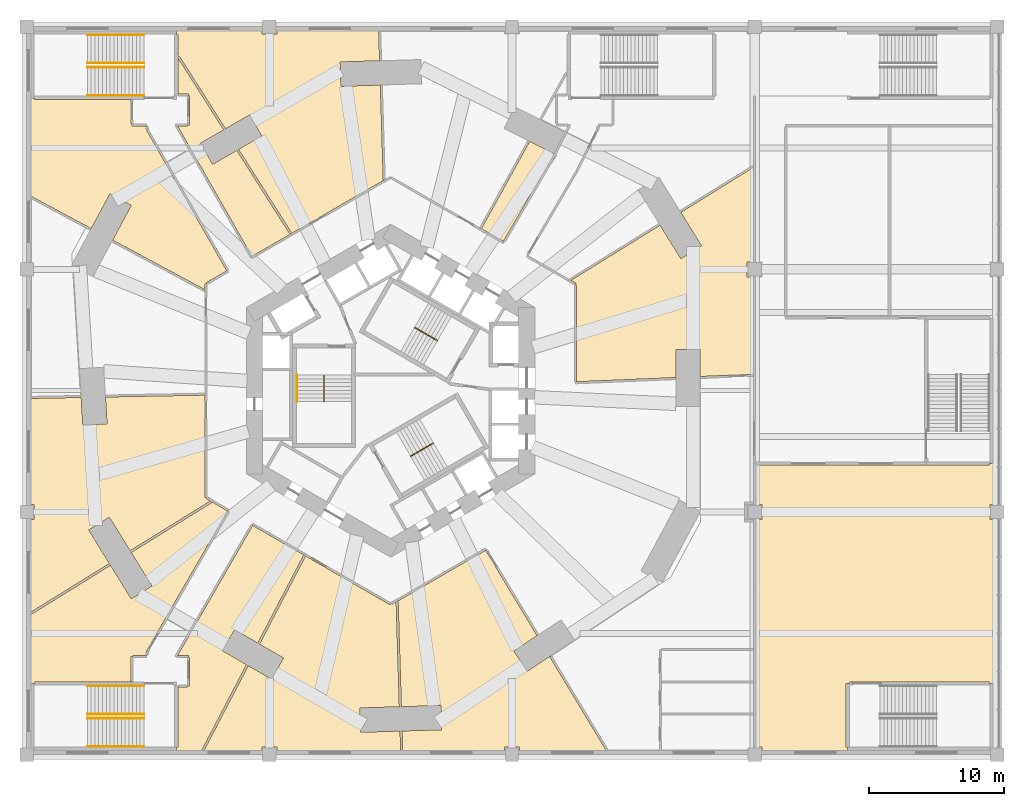
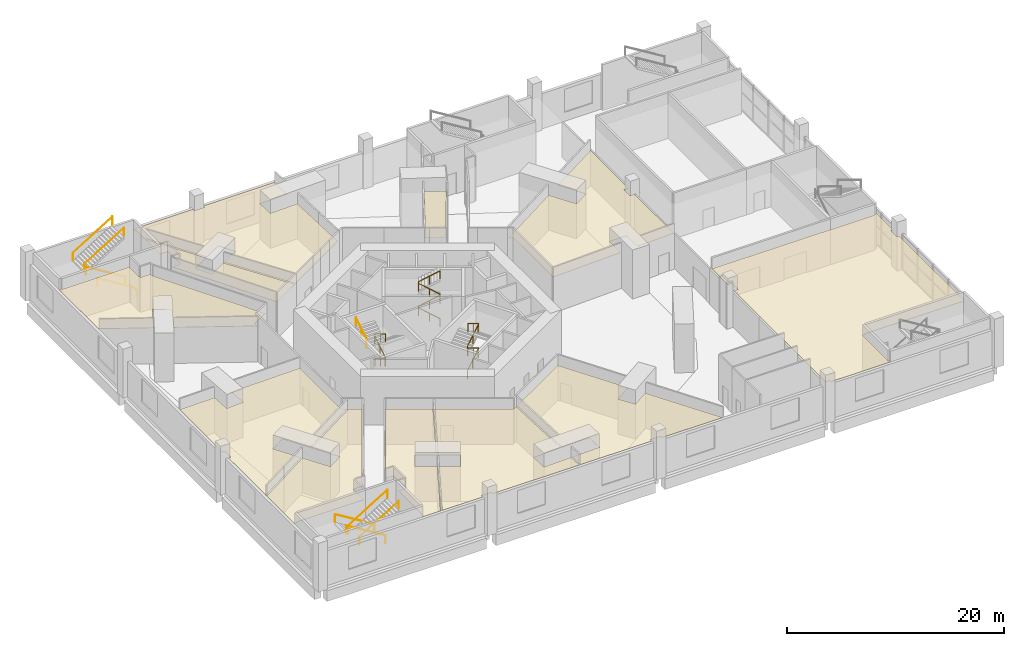
# One storey, part 15 of 16: 12 railings, 11 coverings.
"""IFC4 building model written with IfcOpenShell, lengths in metres."""

from ifc_helpers import new_model, si_unit, direction, frame, origin, origin_2d, place, context, subcontext, project, spatial, polyline, circle, outline, extrude, material, layer, layer_set, type_object, element, save


model = new_model("IFC4")

# Units and contexts
model_context = context("Model", 3, precision=1e-05, world=origin(), true_north=direction((0.0, 1.0)))
body_context = subcontext(model_context, "Body", "Model", "MODEL_VIEW")
ifc_project = project(units=[si_unit("LENGTHUNIT", "METRE"), si_unit("AREAUNIT", "SQUARE_METRE"), si_unit("VOLUMEUNIT", "CUBIC_METRE"), si_unit("PLANEANGLEUNIT", "RADIAN"), si_unit("MASSUNIT", "GRAM", prefix="KILO")], contexts=[model_context])

# Site, building, storey
site_placement = place(None, origin())
site = spatial("IfcSite", under=ifc_project, at=site_placement, CompositionType="ELEMENT")
building_placement = place(site_placement, origin())
building = spatial("IfcBuilding", under=site, at=building_placement, Name="Vanh Sen Convention Tower", CompositionType="ELEMENT")
storey_placement = place(building_placement, frame((0.0, 0.0, 29.0)))
storey = spatial("IfcBuildingStorey", under=building, at=storey_placement, Name="L04", CompositionType="ELEMENT", Elevation=29.0)

# Railings
ifc_material_1 = material(Name="Stainless steel", Category="steel")
railing_type_1 = type_object("IfcRailingType", Name="Podium handrail 900", PredefinedType="HANDRAIL", material=ifc_material_1)
for number, where, name in (
    (1, (-18.300048828125, 21.89990234375, 0.171875), "Handrail PS5 L04"),
    (2, (-18.300048828125, 24.0, 0.171875), "Handrail PS5 L04"),
):
    element("IfcRailing", number, at=place(storey_placement, frame(where)), inside=storey, type_object=railing_type_1, Name=name, PredefinedType="HANDRAIL", context=body_context, shape_type="SweptSolid", body=[
        extrude(circle(Radius=0.02392578125, at=origin_2d()), frame((0.0, 0.0, 0.8759765625), z_axis=(-0.852242915053, 0.0, 0.523146264196), x_axis=(0.0, -1.0, 0.0)), (0.0, 0.0, 1.0), 4.92822265625),
        extrude(circle(Radius=0.02099609375, at=origin_2d()), origin(), (0.0, 0.0, 1.0), 0.851806640625),
        extrude(circle(Radius=0.02099609375, at=origin_2d()), frame((-4.199951171875, 0.0, 2.578125)), (0.0, 0.0, 1.0), 0.851806640625),
    ])
for number, where, name in (
    (3, (-22.5, 26.39990234375, 2.921875), "Handrail PS5 L04"),
    (4, (-22.5, 24.300048828125, 2.921875), "Handrail PS5 L04"),
):
    element("IfcRailing", number, at=place(storey_placement, frame(where)), inside=storey, type_object=railing_type_1, Name=name, PredefinedType="HANDRAIL", context=body_context, shape_type="SweptSolid", body=[
        extrude(circle(Radius=0.02392578125, at=origin_2d()), frame((0.0, 0.0, 0.8759765625), z_axis=(0.852242915053, 0.0, 0.523146264196), x_axis=(0.0, 1.0, 0.0)), (0.0, 0.0, 1.0), 4.92822265625),
        extrude(circle(Radius=0.02099609375, at=origin_2d()), origin(), (0.0, 0.0, 1.0), 0.851806640625),
        extrude(circle(Radius=0.02099609375, at=origin_2d()), frame((4.199951171875, 0.0, 2.578125)), (0.0, 0.0, 1.0), 0.851806640625),
    ])
for number, where, name in (
    (5, (-18.300048828125, -21.89990234375, 0.171875), "Handrail PS6 L04"),
    (6, (-18.300048828125, -24.0, 0.171875), "Handrail PS6 L04"),
):
    element("IfcRailing", number, at=place(storey_placement, frame(where)), inside=storey, type_object=railing_type_1, Name=name, PredefinedType="HANDRAIL", context=body_context, shape_type="SweptSolid", body=[
        extrude(circle(Radius=0.02392578125, at=origin_2d()), frame((0.0, 0.0, 0.8759765625), z_axis=(-0.852242915053, 0.0, 0.523146264196), x_axis=(0.0, -1.0, 0.0)), (0.0, 0.0, 1.0), 4.92822265625),
        extrude(circle(Radius=0.02099609375, at=origin_2d()), origin(), (0.0, 0.0, 1.0), 0.851806640625),
        extrude(circle(Radius=0.02099609375, at=origin_2d()), frame((-4.199951171875, 0.0, 2.578125)), (0.0, 0.0, 1.0), 0.851806640625),
    ])
for number, where, name in (
    (7, (-22.5, -26.39990234375, 2.921875), "Handrail PS6 L04"),
    (8, (-22.5, -24.300048828125, 2.921875), "Handrail PS6 L04"),
):
    element("IfcRailing", number, at=place(storey_placement, frame(where)), inside=storey, type_object=railing_type_1, Name=name, PredefinedType="HANDRAIL", context=body_context, shape_type="SweptSolid", body=[
        extrude(circle(Radius=0.02392578125, at=origin_2d()), frame((0.0, 0.0, 0.8759765625), z_axis=(0.852242915053, 0.0, 0.523146264196), x_axis=(0.0, 1.0, 0.0)), (0.0, 0.0, 1.0), 4.92822265625),
        extrude(circle(Radius=0.02099609375, at=origin_2d()), origin(), (0.0, 0.0, 1.0), 0.851806640625),
        extrude(circle(Radius=0.02099609375, at=origin_2d()), frame((4.199951171875, 0.0, 2.578125)), (0.0, 0.0, 1.0), 0.851806640625),
    ])
ifc_material_2 = material(Name="Stainless steel handrail", Category="steel")
railing_type_2 = type_object("IfcRailingType", Name="Stair handrail 900", PredefinedType="HANDRAIL", material=ifc_material_2)
railing_1_placement = place(storey_placement, frame((3.45849609375, 3.690185546875, 0.171875)))
element("IfcRailing", 9, at=railing_1_placement, inside=storey, type_object=railing_type_2, Name="Stair handrail ST1 L04", PredefinedType="HANDRAIL", context=body_context, shape_type="SweptSolid", body=[
    extrude(circle(Radius=0.02392578125, at=origin_2d()), frame((0.0, 0.0, 0.8759765625), z_axis=(-0.738088823262, 0.426102191367, 0.52312695542), x_axis=(-0.499970440388, -0.866042469362, 0.0)), (0.0, 0.0, 1.0), 2.2998046875),
    extrude(circle(Radius=0.02392578125, at=origin_2d()), frame((-1.697509765625, 0.97998046875, 2.0791015625), z_axis=(0.499298623879, 0.866429964967, 0.0), x_axis=(-0.866429964967, 0.499298623879, 0.0)), (0.0, 0.0, 1.0), 0.0498046875),
    extrude(circle(Radius=0.02392578125, at=origin_2d()), frame((-1.672607421875, 1.023193359375, 2.0791015625), z_axis=(0.0, 0.0, 1.0), x_axis=(1.0, 0.0, 0.0)), (0.0, 0.0, 1.0), 0.171875),
    extrude(circle(Radius=0.02392578125, at=origin_2d()), frame((-1.672607421875, 1.023193359375, 2.2509765625), z_axis=(0.738088823262, -0.426102191367, 0.52312695542), x_axis=(0.499970440388, 0.866042469362, 0.0)), (0.0, 0.0, 1.0), 2.2998046875),
    extrude(circle(Radius=0.02392578125, at=origin_2d()), frame((0.02490234375, 0.043212890625, 3.4541015625), z_axis=(-0.499298623879, -0.866429964967, 0.0), x_axis=(0.866429964967, -0.499298623879, 0.0)), (0.0, 0.0, 1.0), 0.0498046875),
    extrude(circle(Radius=0.02392578125, at=origin_2d()), frame((0.0, 0.0, 3.4541015625), z_axis=(0.0, 0.0, 1.0), x_axis=(1.0, 0.0, 0.0)), (0.0, 0.0, 1.0), 0.171875),
    extrude(circle(Radius=0.02392578125, at=origin_2d()), frame((0.0, 0.0, 3.6259765625), z_axis=(-0.738088823262, 0.426102191367, 0.52312695542), x_axis=(-0.499970440388, -0.866042469362, 0.0)), (0.0, 0.0, 1.0), 2.2998046875),
    extrude(circle(Radius=0.02392578125, at=origin_2d()), frame((-1.697509765625, 0.97998046875, 4.8291015625), z_axis=(0.499298623879, 0.866429964967, 0.0), x_axis=(-0.866429964967, 0.499298623879, 0.0)), (0.0, 0.0, 1.0), 0.0498046875),
    extrude(circle(Radius=0.02392578125, at=origin_2d()), frame((-1.672607421875, 1.023193359375, 4.8291015625), z_axis=(0.0, 0.0, 1.0), x_axis=(1.0, 0.0, 0.0)), (0.0, 0.0, 1.0), 0.171875),
    extrude(circle(Radius=0.02392578125, at=origin_2d()), frame((-1.672607421875, 1.023193359375, 5.0009765625), z_axis=(0.738088823262, -0.426102191367, 0.52312695542), x_axis=(0.499970440388, 0.866042469362, 0.0)), (0.0, 0.0, 1.0), 2.2998046875),
    extrude(circle(Radius=0.02099609375, at=origin_2d()), origin(), (0.0, 0.0, 1.0), 0.851806640625),
    extrude(circle(Radius=0.02099609375, at=origin_2d()), frame((-0.8486328125, 0.489990234375, 0.6015625)), (0.0, 0.0, 1.0), 0.851806640625),
    extrude(circle(Radius=0.02099609375, at=origin_2d()), frame((-1.697509765625, 0.97998046875, 1.203125)), (0.0, 0.0, 1.0), 0.851806640625),
    extrude(circle(Radius=0.02099609375, at=origin_2d()), frame((-1.672607421875, 1.023193359375, 1.203125)), (0.0, 0.0, 1.0), 0.851806640625),
    extrude(circle(Radius=0.02099609375, at=origin_2d()), frame((-1.672607421875, 1.023193359375, 1.375)), (0.0, 0.0, 1.0), 0.851806640625),
    extrude(circle(Radius=0.02099609375, at=origin_2d()), frame((-0.82373046875, 0.533203125, 1.9765625)), (0.0, 0.0, 1.0), 0.851806640625),
    extrude(circle(Radius=0.02099609375, at=origin_2d()), frame((0.02490234375, 0.043212890625, 2.578125)), (0.0, 0.0, 1.0), 0.851806640625),
    extrude(circle(Radius=0.02099609375, at=origin_2d()), frame((0.0, 0.0, 2.578125)), (0.0, 0.0, 1.0), 0.851806640625),
    extrude(circle(Radius=0.02099609375, at=origin_2d()), frame((0.0, 0.0, 2.75)), (0.0, 0.0, 1.0), 0.851806640625),
    extrude(circle(Radius=0.02099609375, at=origin_2d()), frame((-0.8486328125, 0.489990234375, 3.3515625)), (0.0, 0.0, 1.0), 0.851806640625),
    extrude(circle(Radius=0.02099609375, at=origin_2d()), frame((-1.697509765625, 0.97998046875, 3.953125)), (0.0, 0.0, 1.0), 0.851806640625),
    extrude(circle(Radius=0.02099609375, at=origin_2d()), frame((-1.672607421875, 1.023193359375, 3.953125)), (0.0, 0.0, 1.0), 0.851806640625),
    extrude(circle(Radius=0.02099609375, at=origin_2d()), frame((-1.672607421875, 1.023193359375, 4.125)), (0.0, 0.0, 1.0), 0.851806640625),
    extrude(circle(Radius=0.02099609375, at=origin_2d()), frame((-0.82373046875, 0.533203125, 4.7265625)), (0.0, 0.0, 1.0), 0.851806640625),
    extrude(circle(Radius=0.02099609375, at=origin_2d()), frame((0.02490234375, 0.043212890625, 5.328125)), (0.0, 0.0, 1.0), 0.851806640625),
])
railing_2_placement = place(storey_placement, frame((-4.925048828125, 1.14990234375, 0.171875)))
element("IfcRailing", 10, at=railing_2_placement, inside=storey, type_object=railing_type_2, Name="Stair handrail ST2 L04", PredefinedType="HANDRAIL", context=body_context, shape_type="SweptSolid", body=[
    extrude(circle(Radius=0.02392578125, at=origin_2d()), frame((0.0, 0.0, 0.8759765625), z_axis=(0.0, -0.852240978134, 0.523149419562), x_axis=(1.0, 0.0, 0.0)), (0.0, 0.0, 1.0), 2.2998046875),
    extrude(circle(Radius=0.02392578125, at=origin_2d()), frame((0.0, -1.9599609375, 2.0791015625), z_axis=(-1.0, 0.0, 0.0), x_axis=(0.0, -1.0, 0.0)), (0.0, 0.0, 1.0), 0.050048828125),
    extrude(circle(Radius=0.02392578125, at=origin_2d()), frame((-0.050048828125, -1.9599609375, 2.0791015625), z_axis=(0.0, 0.0, 1.0), x_axis=(1.0, 0.0, 0.0)), (0.0, 0.0, 1.0), 0.171875),
    extrude(circle(Radius=0.02392578125, at=origin_2d()), frame((-0.050048828125, -1.9599609375, 2.2509765625), z_axis=(0.0, 0.852240978134, 0.523149419562), x_axis=(-1.0, 0.0, 0.0)), (0.0, 0.0, 1.0), 2.2998046875),
    extrude(circle(Radius=0.02392578125, at=origin_2d()), frame((-0.050048828125, 0.0, 3.4541015625), z_axis=(1.0, 0.0, 0.0), x_axis=(0.0, 1.0, 0.0)), (0.0, 0.0, 1.0), 0.050048828125),
    extrude(circle(Radius=0.02392578125, at=origin_2d()), frame((0.0, 0.0, 3.4541015625), z_axis=(0.0, 0.0, 1.0), x_axis=(1.0, 0.0, 0.0)), (0.0, 0.0, 1.0), 0.171875),
    extrude(circle(Radius=0.02392578125, at=origin_2d()), frame((0.0, 0.0, 3.6259765625), z_axis=(0.0, -0.852240978134, 0.523149419562), x_axis=(1.0, 0.0, 0.0)), (0.0, 0.0, 1.0), 2.2998046875),
    extrude(circle(Radius=0.02099609375, at=origin_2d()), origin(), (0.0, 0.0, 1.0), 0.851806640625),
    extrude(circle(Radius=0.02099609375, at=origin_2d()), frame((0.0, -0.97998046875, 0.6015625)), (0.0, 0.0, 1.0), 0.851806640625),
    extrude(circle(Radius=0.02099609375, at=origin_2d()), frame((0.0, -1.9599609375, 1.203125)), (0.0, 0.0, 1.0), 0.851806640625),
    extrude(circle(Radius=0.02099609375, at=origin_2d()), frame((-0.050048828125, -1.9599609375, 1.203125)), (0.0, 0.0, 1.0), 0.851806640625),
    extrude(circle(Radius=0.02099609375, at=origin_2d()), frame((-0.050048828125, -1.9599609375, 1.375)), (0.0, 0.0, 1.0), 0.851806640625),
    extrude(circle(Radius=0.02099609375, at=origin_2d()), frame((-0.050048828125, -0.97998046875, 1.9765625)), (0.0, 0.0, 1.0), 0.851806640625),
    extrude(circle(Radius=0.02099609375, at=origin_2d()), frame((-0.050048828125, 0.0, 2.578125)), (0.0, 0.0, 1.0), 0.851806640625),
    extrude(circle(Radius=0.02099609375, at=origin_2d()), frame((0.0, 0.0, 2.578125)), (0.0, 0.0, 1.0), 0.851806640625),
    extrude(circle(Radius=0.02099609375, at=origin_2d()), frame((0.0, 0.0, 2.75)), (0.0, 0.0, 1.0), 0.851806640625),
    extrude(circle(Radius=0.02099609375, at=origin_2d()), frame((0.0, -0.97998046875, 3.3515625)), (0.0, 0.0, 1.0), 0.851806640625),
    extrude(circle(Radius=0.02099609375, at=origin_2d()), frame((0.0, -1.9599609375, 3.953125)), (0.0, 0.0, 1.0), 0.851806640625),
])
railing_3_placement = place(storey_placement, frame((1.466552734375, -4.840087890625, 0.171875)))
element("IfcRailing", 11, at=railing_3_placement, inside=storey, type_object=railing_type_2, Name="Stair handrail ST3 L04", PredefinedType="HANDRAIL", context=body_context, shape_type="SweptSolid", body=[
    extrude(circle(Radius=0.02392578125, at=origin_2d()), frame((0.0, 0.0, 0.8759765625), z_axis=(0.738088823262, 0.426102191367, 0.52312695542), x_axis=(-0.499970440388, 0.866042469362, 0.0)), (0.0, 0.0, 1.0), 2.2998046875),
    extrude(circle(Radius=0.02392578125, at=origin_2d()), frame((1.697509765625, 0.97998046875, 2.0791015625), z_axis=(0.497188445666, -0.867642581652, 0.0), x_axis=(0.867642581652, 0.497188445666, 0.0)), (0.0, 0.0, 1.0), 0.050048828125),
    extrude(circle(Radius=0.02392578125, at=origin_2d()), frame((1.722412109375, 0.9365234375, 2.0791015625), z_axis=(0.0, 0.0, 1.0), x_axis=(1.0, 0.0, 0.0)), (0.0, 0.0, 1.0), 0.171875),
    extrude(circle(Radius=0.02392578125, at=origin_2d()), frame((1.722412109375, 0.9365234375, 2.2509765625), z_axis=(-0.738040493636, -0.42613557846, 0.523167944856), x_axis=(0.500024377727, -0.866011328839, 0.0)), (0.0, 0.0, 1.0), 2.2998046875),
    extrude(circle(Radius=0.02392578125, at=origin_2d()), frame((0.025146484375, -0.04345703125, 3.4541015625), z_axis=(-0.500844580232, 0.86553723574, 0.0), x_axis=(-0.86553723574, -0.500844580232, 0.0)), (0.0, 0.0, 1.0), 0.05029296875),
    extrude(circle(Radius=0.02392578125, at=origin_2d()), frame((0.0, 0.0, 3.4541015625), z_axis=(0.0, 0.0, 1.0), x_axis=(1.0, 0.0, 0.0)), (0.0, 0.0, 1.0), 0.171875),
    extrude(circle(Radius=0.02392578125, at=origin_2d()), frame((0.0, 0.0, 3.6259765625), z_axis=(0.738088823262, 0.426102191367, 0.52312695542), x_axis=(-0.499970440388, 0.866042469362, 0.0)), (0.0, 0.0, 1.0), 2.2998046875),
    extrude(circle(Radius=0.02392578125, at=origin_2d()), frame((1.697509765625, 0.97998046875, 4.8291015625), z_axis=(0.497188445666, -0.867642581652, 0.0), x_axis=(0.867642581652, 0.497188445666, 0.0)), (0.0, 0.0, 1.0), 0.050048828125),
    extrude(circle(Radius=0.02392578125, at=origin_2d()), frame((1.722412109375, 0.9365234375, 4.8291015625), z_axis=(0.0, 0.0, 1.0), x_axis=(1.0, 0.0, 0.0)), (0.0, 0.0, 1.0), 0.171875),
    extrude(circle(Radius=0.02392578125, at=origin_2d()), frame((1.722412109375, 0.9365234375, 5.0009765625), z_axis=(-0.738040493636, -0.42613557846, 0.523167944856), x_axis=(0.500024377727, -0.866011328839, 0.0)), (0.0, 0.0, 1.0), 2.2998046875),
    extrude(circle(Radius=0.02099609375, at=origin_2d()), origin(), (0.0, 0.0, 1.0), 0.851806640625),
    extrude(circle(Radius=0.02099609375, at=origin_2d()), frame((0.8486328125, 0.489990234375, 0.6015625)), (0.0, 0.0, 1.0), 0.851806640625),
    extrude(circle(Radius=0.02099609375, at=origin_2d()), frame((1.697509765625, 0.97998046875, 1.203125)), (0.0, 0.0, 1.0), 0.851806640625),
    extrude(circle(Radius=0.02099609375, at=origin_2d()), frame((1.722412109375, 0.9365234375, 1.203125)), (0.0, 0.0, 1.0), 0.851806640625),
    extrude(circle(Radius=0.02099609375, at=origin_2d()), frame((1.722412109375, 0.9365234375, 1.375)), (0.0, 0.0, 1.0), 0.851806640625),
    extrude(circle(Radius=0.02099609375, at=origin_2d()), frame((0.873779296875, 0.446533203125, 1.9765625)), (0.0, 0.0, 1.0), 0.851806640625),
    extrude(circle(Radius=0.02099609375, at=origin_2d()), frame((0.025146484375, -0.04345703125, 2.578125)), (0.0, 0.0, 1.0), 0.851806640625),
    extrude(circle(Radius=0.02099609375, at=origin_2d()), frame((0.0, 0.0, 2.578125)), (0.0, 0.0, 1.0), 0.851806640625),
    extrude(circle(Radius=0.02099609375, at=origin_2d()), frame((0.0, 0.0, 2.75)), (0.0, 0.0, 1.0), 0.851806640625),
    extrude(circle(Radius=0.02099609375, at=origin_2d()), frame((0.8486328125, 0.489990234375, 3.3515625)), (0.0, 0.0, 1.0), 0.851806640625),
    extrude(circle(Radius=0.02099609375, at=origin_2d()), frame((1.697509765625, 0.97998046875, 3.953125)), (0.0, 0.0, 1.0), 0.851806640625),
    extrude(circle(Radius=0.02099609375, at=origin_2d()), frame((1.722412109375, 0.9365234375, 3.953125)), (0.0, 0.0, 1.0), 0.851806640625),
    extrude(circle(Radius=0.02099609375, at=origin_2d()), frame((1.722412109375, 0.9365234375, 4.125)), (0.0, 0.0, 1.0), 0.851806640625),
    extrude(circle(Radius=0.02099609375, at=origin_2d()), frame((0.873779296875, 0.446533203125, 4.7265625)), (0.0, 0.0, 1.0), 0.851806640625),
    extrude(circle(Radius=0.02099609375, at=origin_2d()), frame((0.025146484375, -0.04345703125, 5.328125)), (0.0, 0.0, 1.0), 0.851806640625),
])
railing_4_placement = place(storey_placement, frame((-6.949951171875, -0.81005859375, 4.125)))
element("IfcRailing", 12, at=railing_4_placement, inside=storey, type_object=railing_type_2, Name="Stair wall handrail ST2 L04", PredefinedType="HANDRAIL", context=body_context, shape_type="SweptSolid", body=[
    extrude(circle(Radius=0.02392578125, at=origin_2d()), frame((0.0, 0.0, 0.8759765625), z_axis=(0.0, 0.0, 1.0), x_axis=(1.0, 0.0, 0.0)), (0.0, 0.0, 1.0), 0.171875),
    extrude(circle(Radius=0.02392578125, at=origin_2d()), frame((0.0, 0.0, 1.0478515625), z_axis=(0.0, 0.852240978134, 0.523149419562), x_axis=(-1.0, 0.0, 0.0)), (0.0, 0.0, 1.0), 2.2998046875),
    extrude(circle(Radius=0.02099609375, at=origin_2d()), origin(), (0.0, 0.0, 1.0), 0.851806640625),
    extrude(circle(Radius=0.02099609375, at=origin_2d()), frame((0.0, 0.0, 0.171875)), (0.0, 0.0, 1.0), 0.851806640625),
    extrude(circle(Radius=0.02099609375, at=origin_2d()), frame((0.0, 0.97998046875, 0.7734375)), (0.0, 0.0, 1.0), 0.851806640625),
    extrude(circle(Radius=0.02099609375, at=origin_2d()), frame((0.0, 1.9599609375, 1.375)), (0.0, 0.0, 1.0), 0.851806640625),
])

# Coverings
ifc_material_3 = material(Name="Mineral fibre tiles in a concealed grid")
ifc_layer = layer(ifc_material_3, 0.0400390625)
ifc_layer_set = layer_set([ifc_layer], Name="Mineral fibre tiles in a concealed grid")
covering_type = type_object("IfcCoveringType", Name="Suspended ceiling 600 x 600 tile", PredefinedType="CEILING", material=ifc_layer_set)
covering_1_placement = place(storey_placement, frame((0.0, 0.0, 3.909912109375)))
element("IfcCovering", 13, at=covering_1_placement, inside=storey, type_object=covering_type, Name="Suspended ceiling CL3 Restaurant", PredefinedType="CEILING", context=body_context, shape_type="SweptSolid", body=[
    extrude(outline(polyline([(44.699951171875, -21.72509765625), (44.699951171875, -9.550048828125), (44.449951171875, -9.550048828125), (44.449951171875, -8.449951171875), (44.699951171875, -8.449951171875), (44.699951171875, -5.39990234375), (44.43994140625, -5.39990234375), (44.43994140625, -5.52490234375), (39.72509765625, -5.52490234375), (39.72509765625, -5.5), (27.10009765625, -5.5), (27.10009765625, -8.449951171875), (27.550048828125, -8.449951171875), (27.550048828125, -9.550048828125), (27.10009765625, -9.550048828125), (27.10009765625, -14.507568359375), (27.10009765625, -19.199951171875), (27.10009765625, -21.60009765625), (27.10009765625, -24.0), (27.10009765625, -26.449951171875), (27.550048828125, -26.449951171875), (27.550048828125, -26.699951171875), (33.89990234375, -26.699951171875), (33.89990234375, -26.43994140625), (33.77490234375, -26.43994140625), (33.77490234375, -21.72509765625), (33.89990234375, -21.72509765625), (34.02490234375, -21.72509765625), (34.0400390625, -21.72509765625), (34.0400390625, -21.60009765625), (44.43994140625, -21.60009765625), (44.43994140625, -21.72509765625), (44.699951171875, -21.72509765625)])), origin(), (0.0, 0.0, 1.0), 0.0400390625),
])
covering_2_placement = place(storey_placement, frame((0.0, 0.0, 3.909912109375)))
element("IfcCovering", 14, at=covering_2_placement, inside=storey, type_object=covering_type, Name="Suspended ceiling CL3 Meeting suite", PredefinedType="CEILING", context=body_context, shape_type="SweptSolid", body=[
    extrude(outline(polyline([(26.9169921875, 1.218994140625), (26.919921875, 1.14404296875), (26.925048828125, 1.14453125), (26.925048828125, 1.1474609375), (26.925048828125, 8.449951171875), (26.449951171875, 8.449951171875), (26.449951171875, 9.550048828125), (26.925048828125, 9.550048828125), (26.925048828125, 16.66162109375), (26.881103515625, 16.634521484375), (26.92041015625, 16.570556640625), (21.51904296875, 13.228515625), (21.50830078125, 13.24560546875), (23.058349609375, 10.740966796875), (21.527587890625, 9.793701171875), (19.98828125, 12.281005859375), (13.37109375, 8.18603515625), (13.737548828125, 7.974609375), (13.699951171875, 7.909423828125), (13.699951171875, 7.849609375), (13.77490234375, 7.849609375), (13.77490234375, 0.66259765625), (13.699951171875, 0.66259765625), (13.699951171875, 0.657470703125), (21.14697265625, 0.97412109375), (21.14990234375, 0.89892578125), (21.14990234375, 3.037109375), (22.949951171875, 3.037109375), (22.949951171875, 1.050537109375), (26.9169921875, 1.218994140625)])), origin(), (0.0, 0.0, 1.0), 0.0400390625),
])
covering_3_placement = place(storey_placement, frame((0.0, 0.0, 3.909912109375)))
element("IfcCovering", 15, at=covering_3_placement, inside=storey, type_object=covering_type, Name="Suspended ceiling CL3 Meeting suite", PredefinedType="CEILING", context=body_context, shape_type="SweptSolid", body=[
    extrude(outline(polyline([(11.95654296875, 17.22900390625), (12.02099609375, 17.19091796875), (12.030029296875, 17.208984375), (11.962890625, 17.242431640625), (12.1328125, 17.583740234375), (10.245361328125, 18.52490234375), (10.306884765625, 18.490478515625), (6.7333984375, 12.02587890625), (6.66748046875, 12.06201171875), (6.66552734375, 12.0576171875), (6.66650390625, 12.056884765625), (7.032470703125, 11.845947265625), (8.4189453125, 11.04541015625), (8.381591796875, 10.98046875), (8.422119140625, 11.049560546875), (8.35693359375, 11.08740234375), (11.95654296875, 17.22900390625)])), origin(), (0.0, 0.0, 1.0), 0.0400390625),
])
covering_4_placement = place(storey_placement, frame((0.0, 0.0, 3.909912109375)))
element("IfcCovering", 16, at=covering_4_placement, inside=storey, type_object=covering_type, Name="Suspended ceiling CL3 Meeting suite", PredefinedType="CEILING", context=body_context, shape_type="SweptSolid", body=[
    extrude(outline(polyline([(-0.512451171875, 15.610107421875), (-0.4775390625, 15.630615234375), (-0.478515625, 15.6650390625), (-0.553466796875, 15.6630859375), (-0.654052734375, 18.943115234375), (-0.76806640625, 22.67529296875), (-3.69140625, 22.5859375), (-3.746337890625, 24.38525390625), (-0.822509765625, 24.474609375), (-0.890380859375, 26.697509765625), (-0.8154296875, 26.699951171875), (-8.449951171875, 26.699951171875), (-8.449951171875, 26.449951171875), (-9.550048828125, 26.449951171875), (-9.550048828125, 26.699951171875), (-15.89990234375, 26.699951171875), (-15.89990234375, 26.43994140625), (-15.77490234375, 26.43994140625), (-15.77490234375, 25.021484375), (-15.77490234375, 24.824951171875), (-15.717529296875, 24.734619140625), (-15.654541015625, 24.77490234375), (-12.256591796875, 19.427490234375), (-12.320068359375, 19.387451171875), (-12.31982421875, 19.387451171875), (-10.468017578125, 20.45654296875), (-9.568115234375, 18.897705078125), (-11.288818359375, 17.904296875), (-7.333984375, 11.680908203125), (-7.3974609375, 11.64111328125), (-7.39501953125, 11.636962890625), (-7.39208984375, 11.638427734375), (-4.722412109375, 13.179443359375), (-3.49755859375, 13.886962890625), (-2.12451171875, 14.679443359375), (-0.512451171875, 15.610107421875)])), origin(), (0.0, 0.0, 1.0), 0.0400390625),
])
covering_5_placement = place(storey_placement, frame((0.0, 0.0, 3.909912109375)))
element("IfcCovering", 17, at=covering_5_placement, inside=storey, type_object=covering_type, Name="Suspended ceiling CL3 Executive office", PredefinedType="CEILING", context=body_context, shape_type="SweptSolid", body=[
    extrude(outline(polyline([(-26.43994140625, 21.60009765625), (-26.43994140625, 21.72509765625), (-26.699951171875, 21.72509765625), (-26.699951171875, 14.346435546875), (-26.66455078125, 14.41259765625), (-22.215576171875, 12.02197265625), (-20.8310546875, 14.5986328125), (-19.245361328125, 13.74658203125), (-20.6298828125, 11.169921875), (-13.77490234375, 7.487060546875), (-13.77490234375, 7.909423828125), (-13.699951171875, 7.909423828125), (-13.64794921875, 7.939453125), (-13.685546875, 8.00439453125), (-12.090087890625, 8.925537109375), (-12.052490234375, 8.860595703125), (-12.092041015625, 8.929931640625), (-12.157470703125, 8.89306640625), (-18.097900390625, 19.305419921875), (-18.032958984375, 19.342529296875), (-18.0380859375, 19.362060546875), (-18.110595703125, 19.342529296875), (-18.172607421875, 19.574951171875), (-18.10009765625, 19.594482421875), (-18.10009765625, 19.64990234375), (-19.199951171875, 19.64990234375), (-19.199951171875, 19.72509765625), (-19.199951171875, 19.800048828125), (-19.199951171875, 19.804931640625), (-19.27490234375, 19.804931640625), (-19.27490234375, 21.5849609375), (-19.199951171875, 21.5849609375), (-19.199951171875, 21.60009765625), (-26.43994140625, 21.60009765625)])), origin(), (0.0, 0.0, 1.0), 0.0400390625),
])
covering_6_placement = place(storey_placement, frame((0.0, 0.0, 3.909912109375)))
element("IfcCovering", 18, at=covering_6_placement, inside=storey, type_object=covering_type, Name="Suspended ceiling CL3 Executive office", PredefinedType="CEILING", context=body_context, shape_type="SweptSolid", body=[
    extrude(outline(polyline([(-11.4169921875, 17.826416015625), (-11.35400390625, 17.86669921875), (-13.205322265625, 16.7978515625), (-14.10546875, 18.356689453125), (-12.384521484375, 19.35009765625), (-15.77490234375, 24.68505859375), (-15.77490234375, 21.925048828125), (-15.760009765625, 21.925048828125), (-15.760009765625, 22.0), (-15.0, 22.0), (-15.0, 21.925048828125), (-15.0, 21.85009765625), (-15.0, 21.844970703125), (-14.925048828125, 21.844970703125), (-14.925048828125, 19.72509765625), (-15.0, 19.72509765625), (-15.074951171875, 19.72509765625), (-15.080078125, 19.72509765625), (-15.080078125, 19.64990234375), (-15.819580078125, 19.64990234375), (-10.294921875, 9.967041015625), (-10.360107421875, 9.929931640625), (-10.357421875, 9.925537109375), (-7.39501953125, 11.636962890625), (-7.3974609375, 11.64111328125), (-7.46044921875, 11.60107421875), (-11.4169921875, 17.826416015625)])), origin(), (0.0, 0.0, 1.0), 0.0400390625),
])
covering_7_placement = place(storey_placement, frame((0.0, 0.0, 3.909912109375)))
element("IfcCovering", 19, at=covering_7_placement, inside=storey, type_object=covering_type, Name="Suspended ceiling CL3 Business centre", PredefinedType="CEILING", context=body_context, shape_type="SweptSolid", body=[
    extrude(outline(polyline([(-13.685546875, -8.00439453125), (-13.64794921875, -7.939453125), (-13.699951171875, -7.909423828125), (-13.77490234375, -7.909423828125), (-13.77490234375, -0.256591796875), (-13.780029296875, -0.256591796875), (-13.778564453125, -0.33154296875), (-21.160888671875, -0.468994140625), (-21.03955078125, -2.45166015625), (-22.836181640625, -2.5615234375), (-22.96630859375, -0.4306640625), (-22.965087890625, -0.50244140625), (-26.698486328125, -0.572021484375), (-26.699951171875, -0.4970703125), (-26.699951171875, -8.449951171875), (-26.449951171875, -8.449951171875), (-26.449951171875, -9.550048828125), (-26.699951171875, -9.550048828125), (-26.699951171875, -16.4345703125), (-23.882568359375, -14.6904296875), (-20.863037109375, -12.822509765625), (-20.8544921875, -12.836181640625), (-22.402099609375, -10.3349609375), (-20.87158203125, -9.3876953125), (-19.31689453125, -11.900390625), (-19.33251953125, -11.875), (-13.37109375, -8.18603515625), (-13.685546875, -8.00439453125)])), origin(), (0.0, 0.0, 1.0), 0.0400390625),
])
covering_8_placement = place(storey_placement, frame((0.0, 0.0, 3.909912109375)))
element("IfcCovering", 20, at=covering_8_placement, inside=storey, type_object=covering_type, Name="Suspended ceiling CL3 Meeting suite", PredefinedType="CEILING", context=body_context, shape_type="SweptSolid", body=[
    extrude(outline(polyline([(-26.43994140625, -21.60009765625), (-19.199951171875, -21.60009765625), (-19.199951171875, -21.5849609375), (-19.27490234375, -21.5849609375), (-19.27490234375, -19.72509765625), (-19.199951171875, -19.72509765625), (-19.125, -19.72509765625), (-19.1201171875, -19.72509765625), (-19.1201171875, -19.64990234375), (-18.10009765625, -19.64990234375), (-18.10009765625, -19.593017578125), (-18.172607421875, -19.573486328125), (-18.10400390625, -19.319091796875), (-18.031494140625, -19.33837890625), (-18.021484375, -19.321044921875), (-18.08642578125, -19.283447265625), (-12.10009765625, -8.925537109375), (-12.034912109375, -8.962890625), (-12.032470703125, -8.958984375), (-13.262451171875, -8.2490234375), (-13.297607421875, -8.22900390625), (-13.326904296875, -8.2470703125), (-13.28759765625, -8.31103515625), (-19.25341796875, -12.00244140625), (-19.28125, -11.9580078125), (-17.71435546875, -14.489990234375), (-19.2451171875, -15.437255859375), (-20.783935546875, -12.949951171875), (-23.803466796875, -14.818603515625), (-26.660400390625, -16.58642578125), (-26.699951171875, -16.5224609375), (-26.699951171875, -21.72509765625), (-26.43994140625, -21.72509765625), (-26.43994140625, -21.60009765625)])), origin(), (0.0, 0.0, 1.0), 0.0400390625),
])
covering_9_placement = place(storey_placement, frame((0.0, 0.0, 3.909912109375)))
element("IfcCovering", 21, at=covering_9_placement, inside=storey, type_object=covering_type, Name="Suspended ceiling CL3 Meeting suite", PredefinedType="CEILING", context=body_context, shape_type="SweptSolid", body=[
    extrude(outline(polyline([(-15.0, -19.72509765625), (-15.0, -19.800048828125), (-15.0, -19.804931640625), (-14.925048828125, -19.804931640625), (-14.925048828125, -21.925048828125), (-15.0, -21.925048828125), (-15.074951171875, -21.925048828125), (-15.080078125, -21.925048828125), (-15.080078125, -22.0), (-15.760009765625, -22.0), (-15.760009765625, -21.925048828125), (-15.77490234375, -21.925048828125), (-15.77490234375, -26.43994140625), (-15.89990234375, -26.43994140625), (-15.89990234375, -26.699951171875), (-13.9384765625, -26.699951171875), (-14.0048828125, -26.66552734375), (-12.751953125, -24.265380859375), (-10.696533203125, -20.32861328125), (-10.63134765625, -20.3623046875), (-12.482177734375, -19.293701171875), (-11.58203125, -17.735107421875), (-9.861572265625, -18.728271484375), (-6.448974609375, -12.19189453125), (-6.382568359375, -12.2265625), (-6.380615234375, -12.222412109375), (-6.383056640625, -12.220947265625), (-6.383056640625, -12.220458984375), (-10.300537109375, -9.958984375), (-10.302978515625, -9.96337890625), (-10.238037109375, -10.0009765625), (-15.81494140625, -19.64990234375), (-15.0, -19.64990234375), (-15.0, -19.72509765625)])), origin(), (0.0, 0.0, 1.0), 0.0400390625),
])
covering_10_placement = place(storey_placement, frame((0.0, 0.0, 3.909912109375)))
element("IfcCovering", 22, at=covering_10_placement, inside=storey, type_object=covering_type, Name="Suspended ceiling CL3 Executive office", PredefinedType="CEILING", context=body_context, shape_type="SweptSolid", body=[
    extrude(outline(polyline([(0.089599609375, -15.8544921875), (0.052001953125, -15.78955078125), (0.0, -15.819580078125), (-0.03759765625, -15.884521484375), (-6.380615234375, -12.222412109375), (-6.382568359375, -12.2265625), (-6.31591796875, -12.261474609375), (-9.72998046875, -18.800537109375), (-9.794677734375, -18.76708984375), (-7.944580078125, -19.8349609375), (-8.8447265625, -21.393798828125), (-10.565185546875, -20.400634765625), (-12.618896484375, -24.33447265625), (-13.85400390625, -26.699951171875), (-9.550048828125, -26.699951171875), (-9.550048828125, -26.449951171875), (-8.449951171875, -26.449951171875), (-8.449951171875, -26.699951171875), (0.740966796875, -26.699951171875), (0.696533203125, -25.250244140625), (-2.227294921875, -25.339599609375), (-2.2822265625, -23.540283203125), (0.6416015625, -23.450927734375), (0.404052734375, -15.673095703125), (0.089599609375, -15.8544921875)])), origin(), (0.0, 0.0, 1.0), 0.0400390625),
])
covering_11_placement = place(storey_placement, frame((0.0, 0.0, 3.909912109375)))
element("IfcCovering", 23, at=covering_11_placement, inside=storey, type_object=covering_type, Name="Suspended ceiling CL3 Meeting suite", PredefinedType="CEILING", context=body_context, shape_type="SweptSolid", body=[
    extrude(outline(polyline([(0.89111328125, -26.697509765625), (0.81591796875, -26.699951171875), (8.449951171875, -26.699951171875), (8.449951171875, -26.449951171875), (9.550048828125, -26.449951171875), (9.550048828125, -26.699951171875), (15.99755859375, -26.699951171875), (11.8154296875, -19.758056640625), (11.87939453125, -19.719482421875), (11.853515625, -19.67626953125), (10.13427734375, -20.814208984375), (9.140625, -19.31298828125), (10.923583984375, -18.133056640625), (10.923583984375, -18.133056640625), (10.859619140625, -18.17138671875), (7.047607421875, -11.844482421875), (7.112060546875, -11.805419921875), (7.070556640625, -11.737060546875), (7.10791015625, -11.802001953125), (0.512451171875, -15.610107421875), (0.4775390625, -15.630615234375), (0.478515625, -15.6650390625), (0.553466796875, -15.6630859375), (0.79150390625, -23.4462890625), (3.715087890625, -23.357177734375), (3.77001953125, -25.15625), (0.846435546875, -25.24560546875), (0.89111328125, -26.697509765625)])), origin(), (0.0, 0.0, 1.0), 0.0400390625),
])

save(model, "model.ifc")
